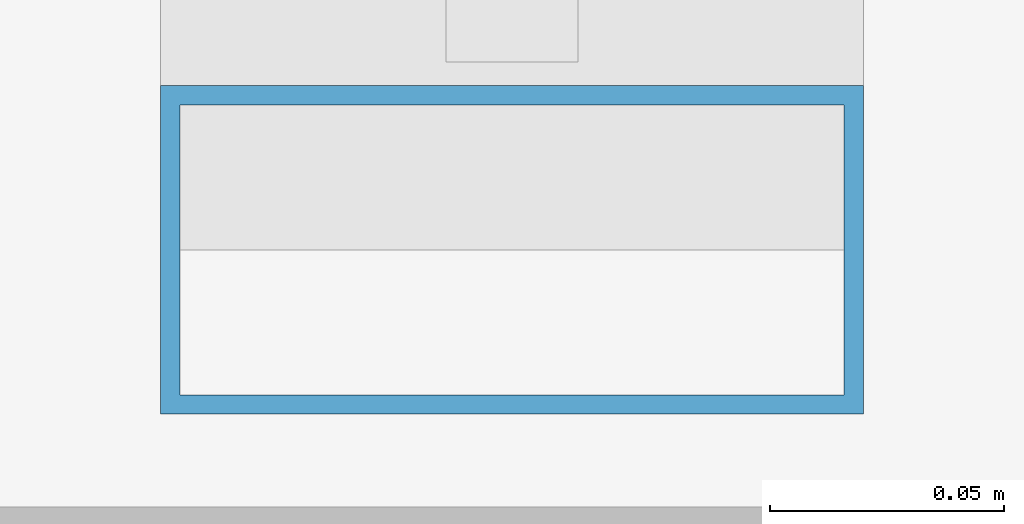
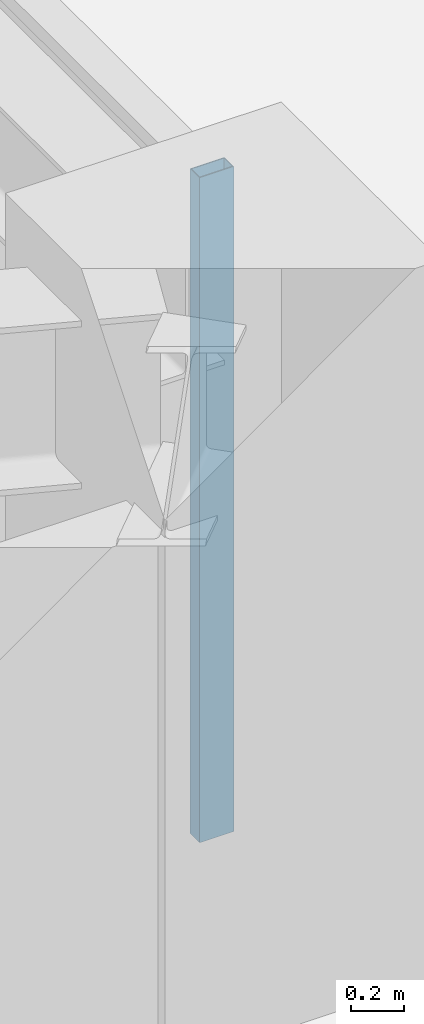
# One storey, part 12 of 36: 1 member, 1 element without a shape of its own.
"""IFC4 building model written with IfcOpenShell, lengths in metres."""

from ifc_helpers import new_model, si_unit, direction, frame, origin, origin_2d, place, context, subcontext, project, spatial, hollow_rectangle, extrude, material, material_profile, profile_set, type_object, element, aggregate, save


model = new_model("IFC4")

# Units and contexts
model_context = context("Model", 3, precision=1e-05, world=origin(), true_north=direction((0.0, 1.0)))
body_context = subcontext(model_context, "Body", "Model", "MODEL_VIEW")
ifc_project = project(units=[si_unit("LENGTHUNIT", "METRE"), si_unit("AREAUNIT", "SQUARE_METRE"), si_unit("VOLUMEUNIT", "CUBIC_METRE"), si_unit("PLANEANGLEUNIT", "RADIAN"), si_unit("MASSUNIT", "GRAM", prefix="KILO")], contexts=[model_context])

# Site, building, storey
site_placement = place(None, origin())
site = spatial("IfcSite", under=ifc_project, at=site_placement, CompositionType="ELEMENT")
building_placement = place(site_placement, origin())
building = spatial("IfcBuilding", under=site, at=building_placement, Name="Kolvaren Belvedere", CompositionType="ELEMENT")
storey_placement = place(building_placement, frame((0.0, 0.0, 23.800048828125)))
storey = spatial("IfcBuildingStorey", under=building, at=storey_placement, Name="L06", CompositionType="ELEMENT", Elevation=23.800048828125)

# Curtain wall, member
ifc_material_1 = material(Name="Anodised pale-metal aluminium AA 6063-T6", Category="aluminium")
curtain_wall_type = type_object("IfcCurtainWallType", Name="CW-Z1-LOW", PredefinedType="NOTDEFINED", material=ifc_material_1)
curtain_wall_placement = place(storey_placement, origin())
curtain_wall = element("IfcCurtainWall", 1, at=curtain_wall_placement, inside=storey, type_object=curtain_wall_type, Name="L06 Unitised Curtain Wall FCW-L06-E-B3", PredefinedType="NOTDEFINED")
ifc_material_2 = material(Name="Anodised pale-metal aluminium AA 6063-T6", Category="aluminium")
ifc_material_profile = material_profile(ifc_material_2, hollow_rectangle(XDim=0.070068359375, YDim=0.14990234375, WallThickness=0.004150390625, at=origin_2d()), Name="ALU-MUL-150X70")
ifc_profile_set = profile_set([ifc_material_profile], Name="Anodised pale-metal aluminium AA 6063-T6")
member_type = type_object("IfcMemberType", Name="CW-MUL-150", PredefinedType="MULLION", material=ifc_profile_set)
member_placement = place(storey_placement, frame((21.8798828125, -13.7451171875, 0.0), z_axis=(0.0, 0.0, 1.0), x_axis=(0.0, 1.0, 0.0)))
member = element("IfcMember", 2, at=member_placement, type_object=member_type, Name="FCW-L06-E-B3 Unitised Mullion 3", PredefinedType="MULLION", context=body_context, shape_type="SweptSolid", body=[
    extrude(hollow_rectangle(XDim=0.070068359375, YDim=0.14990234375, WallThickness=0.004150390625, at=origin_2d()), origin(), (0.0, 0.0, 1.0), 3.06005859375),
])
aggregate(curtain_wall, [member])

save(model, "model.ifc")
